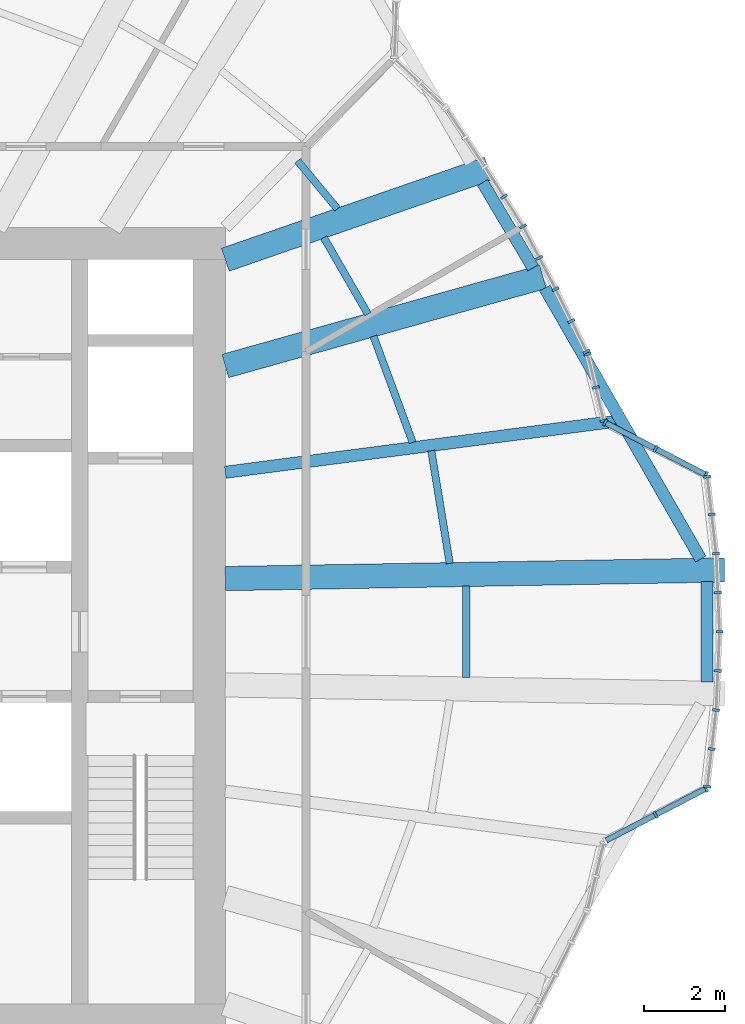
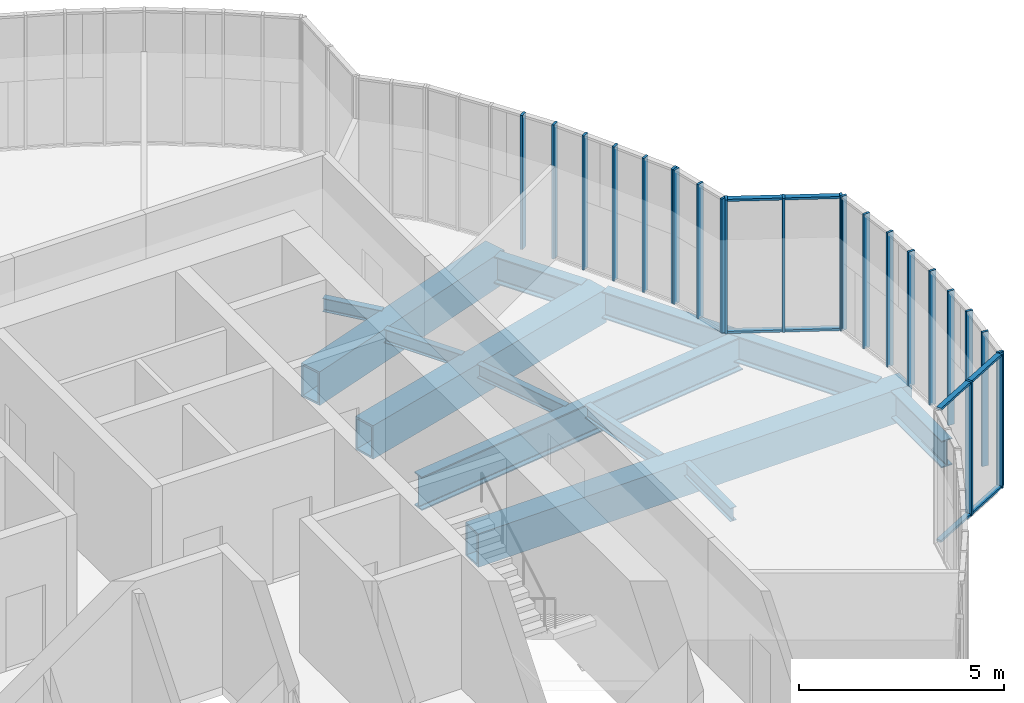
# One storey, part 5 of 24: 31 members, 12 beams, 10 elements without a shape of their own.
"""IFC4 building model written with IfcOpenShell, lengths in metres."""

from ifc_helpers import new_model, si_unit, direction, frame, origin, origin_2d, place, context, subcontext, project, spatial, rectangle, hollow_rectangle, i_section, extrude, material, material_profile, profile_set, type_object, element, aggregate, save


model = new_model("IFC4")

# Units and contexts
model_context = context("Model", 3, precision=1e-05, world=origin(), true_north=direction((0.0, 1.0)))
body_context = subcontext(model_context, "Body", "Model", "MODEL_VIEW")
ifc_project = project(units=[si_unit("LENGTHUNIT", "METRE"), si_unit("AREAUNIT", "SQUARE_METRE"), si_unit("VOLUMEUNIT", "CUBIC_METRE"), si_unit("PLANEANGLEUNIT", "RADIAN"), si_unit("MASSUNIT", "GRAM", prefix="KILO")], contexts=[model_context])

# Site, building, storey
site_placement = place(None, origin())
site = spatial("IfcSite", under=ifc_project, at=site_placement, CompositionType="ELEMENT")
building_placement = place(site_placement, origin())
building = spatial("IfcBuilding", under=site, at=building_placement, Name="Golbaran Civic Tower", CompositionType="ELEMENT")
storey_placement = place(building_placement, frame((0.0, 0.0, 25.0)))
storey = spatial("IfcBuildingStorey", under=building, at=storey_placement, Name="L05", CompositionType="ELEMENT", Elevation=25.0)

# Beams
ifc_material_1 = material(Name="Steel S355", Category="steel")
ifc_material_profile_1 = material_profile(ifc_material_1, i_section(OverallWidth=0.300048828125, OverallDepth=0.800048828125, WebThickness=0.017578125, FlangeThickness=0.032958984375, FilletRadius=0.030029296875, at=origin_2d()), Name="HEB 800")
ifc_profile_set_1 = profile_set([ifc_material_profile_1], Name="Steel S355")
beam_type_1 = type_object("IfcBeamType", Name="EDGE BEAM HEB 800", PredefinedType="BEAM", material=ifc_profile_set_1)
beam_1_placement = place(storey_placement, frame((21.756591796875, 1.797607421875, -0.60009765625), z_axis=(-0.498561902583, 0.866854099196, 0.0), x_axis=(-0.866854099196, -0.498561902583, 0.0)))
element("IfcBeam", 1, at=beam_1_placement, inside=storey, type_object=beam_type_1, Name="Edge beam 3.83 L05", PredefinedType="BEAM", context=body_context, shape_type="SweptSolid", body=[
    extrude(i_section(OverallWidth=0.300048828125, OverallDepth=0.800048828125, WebThickness=0.017578125, FlangeThickness=0.032958984375, FilletRadius=0.030029296875, at=origin_2d()), origin(), (0.0, 0.0, 1.0), 7.730712890625),
])
beam_2_placement = place(storey_placement, frame((17.61083984375, 8.998779296875, -0.60009765625), z_axis=(-0.509256148857, 0.86061499804, 0.0), x_axis=(-0.86061499804, -0.509256148857, 0.0)))
element("IfcBeam", 2, at=beam_2_placement, inside=storey, type_object=beam_type_1, Name="Edge beam 25.74 L05", PredefinedType="BEAM", context=body_context, shape_type="SweptSolid", body=[
    extrude(i_section(OverallWidth=0.300048828125, OverallDepth=0.800048828125, WebThickness=0.017578125, FlangeThickness=0.032958984375, FilletRadius=0.030029296875, at=origin_2d()), origin(), (0.0, 0.0, 1.0), 2.45068359375),
])
beam_3_placement = place(storey_placement, frame((21.916015625, -1.240234375, -0.60009765625), z_axis=(0.0, 1.0, 0.0), x_axis=(-1.0, 0.0, 0.0)))
element("IfcBeam", 3, at=beam_3_placement, inside=storey, type_object=beam_type_1, Name="Edge beam 356.17 L05", PredefinedType="BEAM", context=body_context, shape_type="SweptSolid", body=[
    extrude(i_section(OverallWidth=0.300048828125, OverallDepth=0.800048828125, WebThickness=0.017578125, FlangeThickness=0.032958984375, FilletRadius=0.030029296875, at=origin_2d()), origin(), (0.0, 0.0, 1.0), 2.48046875),
])
ifc_material_profile_2 = material_profile(ifc_material_1, i_section(OverallWidth=0.179931640625, OverallDepth=0.39990234375, WebThickness=0.008544921875, FlangeThickness=0.013427734375, FilletRadius=0.02099609375, at=origin_2d()), Name="IPE 400")
ifc_profile_set_2 = profile_set([ifc_material_profile_2], Name="Steel S355")
beam_type_2 = type_object("IfcBeamType", Name="FLOOR INFILL BEAM IPE 400", PredefinedType="BEAM", material=ifc_profile_set_2)
beam_4_placement = place(storey_placement, frame((15.550537109375, 1.6904296875, -0.39990234375), z_axis=(-0.161707417606, 0.986838746245, 0.0), x_axis=(-0.986838746245, -0.161707417606, 0.0)))
element("IfcBeam", 4, at=beam_4_placement, inside=storey, type_object=beam_type_2, Name="Infill beam 9.31 L05", PredefinedType="BEAM", context=body_context, shape_type="SweptSolid", body=[
    extrude(i_section(OverallWidth=0.179931640625, OverallDepth=0.39990234375, WebThickness=0.008544921875, FlangeThickness=0.013427734375, FilletRadius=0.02099609375, at=origin_2d()), origin(), (0.0, 0.0, 1.0), 2.82470703125),
])
beam_5_placement = place(storey_placement, frame((14.63427734375, 4.68017578125, -0.39990234375), z_axis=(-0.346383518623, 0.938092990074, 0.0), x_axis=(-0.938092990074, -0.346383518623, 0.0)))
element("IfcBeam", 5, at=beam_5_placement, inside=storey, type_object=beam_type_2, Name="Infill beam 20.27 L05", PredefinedType="BEAM", context=body_context, shape_type="SweptSolid", body=[
    extrude(i_section(OverallWidth=0.179931640625, OverallDepth=0.39990234375, WebThickness=0.008544921875, FlangeThickness=0.013427734375, FilletRadius=0.02099609375, at=origin_2d()), origin(), (0.0, 0.0, 1.0), 2.802490234375),
])
beam_6_placement = place(storey_placement, frame((13.529541015625, 7.85302734375, -0.39990234375), z_axis=(-0.499980071345, 0.866036909293, 0.0), x_axis=(-0.866036909293, -0.499980071345, 0.0)))
element("IfcBeam", 6, at=beam_6_placement, inside=storey, type_object=beam_type_2, Name="Infill beam 30.00 L05", PredefinedType="BEAM", context=body_context, shape_type="SweptSolid", body=[
    extrude(i_section(OverallWidth=0.179931640625, OverallDepth=0.39990234375, WebThickness=0.008544921875, FlangeThickness=0.013427734375, FilletRadius=0.02099609375, at=origin_2d()), origin(), (0.0, 0.0, 1.0), 2.1875),
])
beam_7_placement = place(storey_placement, frame((12.773681640625, 10.457275390625, -0.39990234375), z_axis=(-0.639203926169, 0.769037281782, 0.0), x_axis=(-0.769037281782, -0.639203926169, 0.0)))
element("IfcBeam", 7, at=beam_7_placement, inside=storey, type_object=beam_type_2, Name="Infill beam 39.73 L05", PredefinedType="BEAM", context=body_context, shape_type="SweptSolid", body=[
    extrude(i_section(OverallWidth=0.179931640625, OverallDepth=0.39990234375, WebThickness=0.008544921875, FlangeThickness=0.013427734375, FilletRadius=0.02099609375, at=origin_2d()), origin(), (0.0, 0.0, 1.0), 1.543701171875),
])
beam_8_placement = place(storey_placement, frame((15.9580078125, -1.13720703125, -0.39990234375), z_axis=(0.0, 1.0, 0.0), x_axis=(-1.0, 0.0, 0.0)))
element("IfcBeam", 8, at=beam_8_placement, inside=storey, type_object=beam_type_2, Name="Infill beam 0.00 L05", PredefinedType="BEAM", context=body_context, shape_type="SweptSolid", body=[
    extrude(i_section(OverallWidth=0.179931640625, OverallDepth=0.39990234375, WebThickness=0.008544921875, FlangeThickness=0.013427734375, FilletRadius=0.02099609375, at=origin_2d()), origin(), (0.0, 0.0, 1.0), 2.2744140625),
])

# Curtain wall, members
ifc_material_2 = material(Name="Aluminium and glass", Category="aluminium")
curtain_wall_type = type_object("IfcCurtainWallType", Name="INNER SKIN CURTAIN WALL", PredefinedType="NOTDEFINED", material=ifc_material_2)
curtain_wall_1_placement = place(storey_placement, origin())
curtain_wall_1 = element("IfcCurtainWall", 9, at=curtain_wall_1_placement, inside=storey, type_object=curtain_wall_type, Name="Inner skin L05 facet 1 CW1", ObjectType="INNER SKIN", PredefinedType="USERDEFINED")
ifc_material_3 = material(Name="Aluminium", Category="aluminium")
ifc_material_profile_3 = material_profile(ifc_material_3, rectangle(XDim=0.179931640625, YDim=0.06494140625, at=origin_2d()), Name="INNER SKIN CURTAIN WALL MULLION")
ifc_profile_set_3 = profile_set([ifc_material_profile_3], Name="Aluminium")
member_type_1 = type_object("IfcMemberType", Name="INNER SKIN CURTAIN WALL MULLION", PredefinedType="MULLION", material=ifc_profile_set_3)
member_1_placement = place(storey_placement, frame((22.1787109375, 0.96826171875, 0.0), z_axis=(0.0, 0.0, 1.0), x_axis=(-0.999048221576, -0.043619387505, 0.0)))
member_1 = element("IfcMember", 10, at=member_1_placement, type_object=member_type_1, Name="CW1 mullion 2", PredefinedType="MULLION", context=body_context, shape_type="SweptSolid", body=[
    extrude(rectangle(XDim=0.179931640625, YDim=0.06494140625, at=origin_2d()), origin(), (0.0, 0.0, 1.0), 4.0),
])
member_2_placement = place(storey_placement, frame((22.136474609375, 1.936767578125, 0.0), z_axis=(0.0, 0.0, 1.0), x_axis=(-0.996858623672, -0.079201542981, 0.0)))
member_2 = element("IfcMember", 11, at=member_2_placement, type_object=member_type_1, Name="CW1 mullion 3", PredefinedType="MULLION", context=body_context, shape_type="SweptSolid", body=[
    extrude(rectangle(XDim=0.179931640625, YDim=0.06494140625, at=origin_2d()), origin(), (0.0, 0.0, 1.0), 4.0),
])
aggregate(curtain_wall_1, [member_1, member_2])

curtain_wall_2_placement = place(storey_placement, origin())
curtain_wall_2 = element("IfcCurtainWall", 12, at=curtain_wall_2_placement, inside=storey, type_object=curtain_wall_type, Name="Inner skin L05 facet 2 CW1", ObjectType="INNER SKIN", PredefinedType="USERDEFINED")
member_3_placement = place(storey_placement, frame((22.025146484375, 2.900390625, 0.0), z_axis=(0.0, 0.0, 1.0), x_axis=(-0.993402133964, -0.114683042492, 0.0)))
member_3 = element("IfcMember", 13, at=member_3_placement, type_object=member_type_1, Name="CW1 mullion 2", PredefinedType="MULLION", context=body_context, shape_type="SweptSolid", body=[
    extrude(rectangle(XDim=0.179931640625, YDim=0.06494140625, at=origin_2d()), origin(), (0.0, 0.0, 1.0), 4.0),
])
member_4_placement = place(storey_placement, frame((21.917724609375, 3.831787109375, 0.0), z_axis=(0.0, 0.0, 1.0), x_axis=(-0.993402133964, -0.114683042492, 0.0)))
member_4 = element("IfcMember", 14, at=member_4_placement, type_object=member_type_1, Name="CW1 mullion 3", PredefinedType="MULLION", context=body_context, shape_type="SweptSolid", body=[
    extrude(rectangle(XDim=0.179931640625, YDim=0.06494140625, at=origin_2d()), origin(), (0.0, 0.0, 1.0), 4.0),
])
aggregate(curtain_wall_2, [member_3, member_4])

curtain_wall_3_placement = place(storey_placement, origin())
curtain_wall_3 = element("IfcCurtainWall", 15, at=curtain_wall_3_placement, inside=storey, type_object=curtain_wall_type, Name="Inner skin L05 facet 3 CW1", ObjectType="INNER SKIN", PredefinedType="USERDEFINED")
member_5_placement = place(storey_placement, frame((21.885009765625, 3.87890625, 0.0), z_axis=(0.0, 0.0, 1.0), x_axis=(-0.460945090256, -0.887428658411, 0.0)))
member_5 = element("IfcMember", 16, at=member_5_placement, type_object=member_type_1, Name="CW1 mullion 1", PredefinedType="MULLION", context=body_context, shape_type="SweptSolid", body=[
    extrude(rectangle(XDim=0.179931640625, YDim=0.06494140625, at=origin_2d()), origin(), (0.0, 0.0, 1.0), 4.0),
])
member_6_placement = place(storey_placement, frame((20.638916015625, 4.5263671875, 0.0), z_axis=(0.0, 0.0, 1.0), x_axis=(-0.460945090256, -0.887428658411, 0.0)))
member_6 = element("IfcMember", 17, at=member_6_placement, type_object=member_type_1, Name="CW1 mullion 2", PredefinedType="MULLION", context=body_context, shape_type="SweptSolid", body=[
    extrude(rectangle(XDim=0.179931640625, YDim=0.06494140625, at=origin_2d()), origin(), (0.0, 0.0, 1.0), 4.0),
])
member_7_placement = place(storey_placement, frame((19.392822265625, 5.173583984375, 0.0), z_axis=(0.0, 0.0, 1.0), x_axis=(-0.460945090256, -0.887428658411, 0.0)))
member_7 = element("IfcMember", 18, at=member_7_placement, type_object=member_type_1, Name="CW1 mullion 3", PredefinedType="MULLION", context=body_context, shape_type="SweptSolid", body=[
    extrude(rectangle(XDim=0.179931640625, YDim=0.06494140625, at=origin_2d()), origin(), (0.0, 0.0, 1.0), 4.0),
])

curtain_wall_4_placement = place(storey_placement, origin())
curtain_wall_4 = element("IfcCurtainWall", 19, at=curtain_wall_4_placement, inside=storey, type_object=curtain_wall_type, Name="Inner skin L05 facet 4 CW1", ObjectType="INNER SKIN", PredefinedType="USERDEFINED")
member_8_placement = place(storey_placement, frame((19.356201171875, 5.22021484375, 0.0), z_axis=(0.0, 0.0, 1.0), x_axis=(-0.9718683836, -0.235524616461, 0.0)))
member_8 = element("IfcMember", 20, at=member_8_placement, type_object=member_type_1, Name="CW1 mullion 1", PredefinedType="MULLION", context=body_context, shape_type="SweptSolid", body=[
    extrude(rectangle(XDim=0.179931640625, YDim=0.06494140625, at=origin_2d()), origin(), (0.0, 0.0, 1.0), 4.0),
])
member_9_placement = place(storey_placement, frame((19.156982421875, 6.04296875, 0.0), z_axis=(0.0, 0.0, 1.0), x_axis=(-0.9718683836, -0.235524616461, 0.0)))
member_9 = element("IfcMember", 21, at=member_9_placement, type_object=member_type_1, Name="CW1 mullion 2", PredefinedType="MULLION", context=body_context, shape_type="SweptSolid", body=[
    extrude(rectangle(XDim=0.179931640625, YDim=0.06494140625, at=origin_2d()), origin(), (0.0, 0.0, 1.0), 4.0),
])
member_10_placement = place(storey_placement, frame((18.95751953125, 6.865478515625, 0.0), z_axis=(0.0, 0.0, 1.0), x_axis=(-0.9718683836, -0.235524616461, 0.0)))
member_10 = element("IfcMember", 22, at=member_10_placement, type_object=member_type_1, Name="CW1 mullion 3", PredefinedType="MULLION", context=body_context, shape_type="SweptSolid", body=[
    extrude(rectangle(XDim=0.179931640625, YDim=0.06494140625, at=origin_2d()), origin(), (0.0, 0.0, 1.0), 4.0),
])
aggregate(curtain_wall_4, [member_8, member_9, member_10])

curtain_wall_5_placement = place(storey_placement, origin())
curtain_wall_5 = element("IfcCurtainWall", 23, at=curtain_wall_5_placement, inside=storey, type_object=curtain_wall_type, Name="Inner skin L05 facet 5 CW1", ObjectType="INNER SKIN", PredefinedType="USERDEFINED")
member_11_placement = place(storey_placement, frame((18.935302734375, 6.92626953125, 0.0), z_axis=(0.0, 0.0, 1.0), x_axis=(-0.895886679922, -0.444282631597, 0.0)))
member_11 = element("IfcMember", 24, at=member_11_placement, type_object=member_type_1, Name="CW1 mullion 1", PredefinedType="MULLION", context=body_context, shape_type="SweptSolid", body=[
    extrude(rectangle(XDim=0.179931640625, YDim=0.06494140625, at=origin_2d()), origin(), (0.0, 0.0, 1.0), 4.0),
])
member_12_placement = place(storey_placement, frame((18.559326171875, 7.684814453125, 0.0), z_axis=(0.0, 0.0, 1.0), x_axis=(-0.895886679922, -0.444282631597, 0.0)))
member_12 = element("IfcMember", 25, at=member_12_placement, type_object=member_type_1, Name="CW1 mullion 2", PredefinedType="MULLION", context=body_context, shape_type="SweptSolid", body=[
    extrude(rectangle(XDim=0.179931640625, YDim=0.06494140625, at=origin_2d()), origin(), (0.0, 0.0, 1.0), 4.0),
])
member_13_placement = place(storey_placement, frame((18.168701171875, 8.47216796875, 0.0), z_axis=(0.0, 0.0, 1.0), x_axis=(-0.891491531443, -0.453037359791, 0.0)))
member_13 = element("IfcMember", 26, at=member_13_placement, type_object=member_type_1, Name="CW1 mullion 3", PredefinedType="MULLION", context=body_context, shape_type="SweptSolid", body=[
    extrude(rectangle(XDim=0.179931640625, YDim=0.06494140625, at=origin_2d()), origin(), (0.0, 0.0, 1.0), 4.0),
])
aggregate(curtain_wall_5, [member_11, member_12, member_13])

curtain_wall_6_placement = place(storey_placement, origin())
curtain_wall_6 = element("IfcCurtainWall", 27, at=curtain_wall_6_placement, inside=storey, type_object=curtain_wall_type, Name="Inner skin L05 facet 6 CW1", ObjectType="INNER SKIN", PredefinedType="USERDEFINED")
member_14_placement = place(storey_placement, frame((17.764892578125, 9.247802734375, 0.0), z_axis=(0.0, 0.0, 1.0), x_axis=(-0.887010833202, -0.461748613189, 0.0)))
member_14 = element("IfcMember", 28, at=member_14_placement, type_object=member_type_1, Name="CW1 mullion 2", PredefinedType="MULLION", context=body_context, shape_type="SweptSolid", body=[
    extrude(rectangle(XDim=0.179931640625, YDim=0.06494140625, at=origin_2d()), origin(), (0.0, 0.0, 1.0), 4.0),
])
member_15_placement = place(storey_placement, frame((17.361328125, 10.0234375, 0.0), z_axis=(0.0, 0.0, 1.0), x_axis=(-0.866025403758, -0.500000000045, 0.0)))
member_15 = element("IfcMember", 29, at=member_15_placement, type_object=member_type_1, Name="CW1 mullion 3", PredefinedType="MULLION", context=body_context, shape_type="SweptSolid", body=[
    extrude(rectangle(XDim=0.179931640625, YDim=0.06494140625, at=origin_2d()), origin(), (0.0, 0.0, 1.0), 4.0),
])
aggregate(curtain_wall_6, [member_14, member_15])

# Curtain wall, member
curtain_wall_7_placement = place(storey_placement, origin())
curtain_wall_7 = element("IfcCurtainWall", 30, at=curtain_wall_7_placement, inside=storey, type_object=curtain_wall_type, Name="Inner skin L05 facet 7 CW1", ObjectType="INNER SKIN", PredefinedType="USERDEFINED")
member_16_placement = place(storey_placement, frame((16.891357421875, 10.760986328125, 0.0), z_axis=(0.0, 0.0, 1.0), x_axis=(-0.843391445841, -0.537299608303, 0.0)))
member_16 = element("IfcMember", 31, at=member_16_placement, type_object=member_type_1, Name="CW1 mullion 2", PredefinedType="MULLION", context=body_context, shape_type="SweptSolid", body=[
    extrude(rectangle(XDim=0.179931640625, YDim=0.06494140625, at=origin_2d()), origin(), (0.0, 0.0, 1.0), 4.0),
])
aggregate(curtain_wall_7, [member_16])

# Curtain wall, members
curtain_wall_8_placement = place(storey_placement, origin())
curtain_wall_8 = element("IfcCurtainWall", 32, at=curtain_wall_8_placement, inside=storey, type_object=curtain_wall_type, Name="Inner skin L05 facet 70 CW1", ObjectType="INNER SKIN", PredefinedType="USERDEFINED")
member_17_placement = place(storey_placement, frame((20.638916015625, -4.5263671875, 0.0), z_axis=(0.0, 0.0, 1.0), x_axis=(-0.460945090256, 0.887428658411, 0.0)))
member_17 = element("IfcMember", 33, at=member_17_placement, type_object=member_type_1, Name="CW1 mullion 2", PredefinedType="MULLION", context=body_context, shape_type="SweptSolid", body=[
    extrude(rectangle(XDim=0.179931640625, YDim=0.06494140625, at=origin_2d()), origin(), (0.0, 0.0, 1.0), 4.0),
])
member_18_placement = place(storey_placement, frame((21.885009765625, -3.87890625, 0.0), z_axis=(0.0, 0.0, 1.0), x_axis=(-0.460945090256, 0.887428658411, 0.0)))
member_18 = element("IfcMember", 34, at=member_18_placement, type_object=member_type_1, Name="CW1 mullion 3", PredefinedType="MULLION", context=body_context, shape_type="SweptSolid", body=[
    extrude(rectangle(XDim=0.179931640625, YDim=0.06494140625, at=origin_2d()), origin(), (0.0, 0.0, 1.0), 4.0),
])

curtain_wall_9_placement = place(storey_placement, origin())
curtain_wall_9 = element("IfcCurtainWall", 35, at=curtain_wall_9_placement, inside=storey, type_object=curtain_wall_type, Name="Inner skin L05 facet 71 CW1", ObjectType="INNER SKIN", PredefinedType="USERDEFINED")
member_19_placement = place(storey_placement, frame((21.917724609375, -3.831787109375, 0.0), z_axis=(0.0, 0.0, 1.0), x_axis=(-0.993402133964, 0.114683042492, 0.0)))
member_19 = element("IfcMember", 36, at=member_19_placement, type_object=member_type_1, Name="CW1 mullion 1", PredefinedType="MULLION", context=body_context, shape_type="SweptSolid", body=[
    extrude(rectangle(XDim=0.179931640625, YDim=0.06494140625, at=origin_2d()), origin(), (0.0, 0.0, 1.0), 4.0),
])
member_20_placement = place(storey_placement, frame((22.025146484375, -2.900390625, 0.0), z_axis=(0.0, 0.0, 1.0), x_axis=(-0.993402133964, 0.114683042492, 0.0)))
member_20 = element("IfcMember", 37, at=member_20_placement, type_object=member_type_1, Name="CW1 mullion 2", PredefinedType="MULLION", context=body_context, shape_type="SweptSolid", body=[
    extrude(rectangle(XDim=0.179931640625, YDim=0.06494140625, at=origin_2d()), origin(), (0.0, 0.0, 1.0), 4.0),
])
member_21_placement = place(storey_placement, frame((22.136474609375, -1.936767578125, 0.0), z_axis=(0.0, 0.0, 1.0), x_axis=(-0.996858623671, 0.079201542999, 0.0)))
member_21 = element("IfcMember", 38, at=member_21_placement, type_object=member_type_1, Name="CW1 mullion 3", PredefinedType="MULLION", context=body_context, shape_type="SweptSolid", body=[
    extrude(rectangle(XDim=0.179931640625, YDim=0.06494140625, at=origin_2d()), origin(), (0.0, 0.0, 1.0), 4.0),
])
aggregate(curtain_wall_9, [member_19, member_20, member_21])

curtain_wall_10_placement = place(storey_placement, origin())
curtain_wall_10 = element("IfcCurtainWall", 39, at=curtain_wall_10_placement, inside=storey, type_object=curtain_wall_type, Name="Inner skin L05 facet 72 CW1", ObjectType="INNER SKIN", PredefinedType="USERDEFINED")
member_22_placement = place(storey_placement, frame((22.1787109375, -0.96826171875, 0.0), z_axis=(0.0, 0.0, 1.0), x_axis=(-0.999048221576, 0.043619387505, 0.0)))
member_22 = element("IfcMember", 40, at=member_22_placement, type_object=member_type_1, Name="CW1 mullion 2", PredefinedType="MULLION", context=body_context, shape_type="SweptSolid", body=[
    extrude(rectangle(XDim=0.179931640625, YDim=0.06494140625, at=origin_2d()), origin(), (0.0, 0.0, 1.0), 4.0),
])
member_23_placement = place(storey_placement, frame((22.220947265625, 0.0, 0.0), z_axis=(0.0, 0.0, 1.0), x_axis=(-1.0, 7e-11, 0.0)))
member_23 = element("IfcMember", 41, at=member_23_placement, type_object=member_type_1, Name="CW1 mullion 3", PredefinedType="MULLION", context=body_context, shape_type="SweptSolid", body=[
    extrude(rectangle(XDim=0.179931640625, YDim=0.06494140625, at=origin_2d()), origin(), (0.0, 0.0, 1.0), 4.0),
])
aggregate(curtain_wall_10, [member_22, member_23])

# Member
ifc_material_profile_4 = material_profile(ifc_material_3, rectangle(XDim=0.139892578125, YDim=0.06494140625, at=origin_2d()), Name="INNER SKIN CURTAIN WALL TRANSOM")
ifc_profile_set_4 = profile_set([ifc_material_profile_4], Name="Aluminium")
member_type_2 = type_object("IfcMemberType", Name="INNER SKIN CURTAIN WALL TRANSOM", PredefinedType="USERDEFINED", material=ifc_profile_set_4)
member_24_placement = place(storey_placement, frame((21.856201171875, 3.89404296875, 0.032470703125), z_axis=(-0.88746739887, 0.460870498017, 0.0), x_axis=(-0.460870498017, -0.88746739887, 0.0)))
member_24 = element("IfcMember", 42, at=member_24_placement, type_object=member_type_2, Name="CW1 transom 1.1", ObjectType="TRANSOM", PredefinedType="USERDEFINED", context=body_context, shape_type="SweptSolid", body=[
    extrude(rectangle(XDim=0.139892578125, YDim=0.06494140625, at=origin_2d()), origin(), (0.0, 0.0, 1.0), 1.339111328125),
])

member_25_placement = place(storey_placement, frame((21.856201171875, 3.89404296875, 3.967529296875), z_axis=(-0.88746739887, 0.460870498017, 0.0), x_axis=(-0.460870498017, -0.88746739887, 0.0)))
member_25 = element("IfcMember", 43, at=member_25_placement, type_object=member_type_2, Name="CW1 transom 1.2", ObjectType="TRANSOM", PredefinedType="USERDEFINED", context=body_context, shape_type="SweptSolid", body=[
    extrude(rectangle(XDim=0.139892578125, YDim=0.06494140625, at=origin_2d()), origin(), (0.0, 0.0, 1.0), 1.339111328125),
])

member_26_placement = place(storey_placement, frame((20.610107421875, 4.541259765625, 0.032470703125), z_axis=(-0.887392828843, 0.461014064122, 0.0), x_axis=(-0.461014064122, -0.887392828843, 0.0)))
member_26 = element("IfcMember", 44, at=member_26_placement, type_object=member_type_2, Name="CW1 transom 2.1", ObjectType="TRANSOM", PredefinedType="USERDEFINED", context=body_context, shape_type="SweptSolid", body=[
    extrude(rectangle(XDim=0.139892578125, YDim=0.06494140625, at=origin_2d()), origin(), (0.0, 0.0, 1.0), 1.33935546875),
])

member_27_placement = place(storey_placement, frame((20.610107421875, 4.541259765625, 3.967529296875), z_axis=(-0.887392828843, 0.461014064122, 0.0), x_axis=(-0.461014064122, -0.887392828843, 0.0)))
member_27 = element("IfcMember", 45, at=member_27_placement, type_object=member_type_2, Name="CW1 transom 2.2", ObjectType="TRANSOM", PredefinedType="USERDEFINED", context=body_context, shape_type="SweptSolid", body=[
    extrude(rectangle(XDim=0.139892578125, YDim=0.06494140625, at=origin_2d()), origin(), (0.0, 0.0, 1.0), 1.33935546875),
])

aggregate(curtain_wall_3, [member_5, member_6, member_7, member_24, member_25, member_26, member_27])

member_28_placement = place(storey_placement, frame((19.421630859375, -5.15869140625, 0.032470703125), z_axis=(0.887392828843, 0.461014064122, 0.0), x_axis=(-0.461014064122, 0.887392828843, 0.0)))
member_28 = element("IfcMember", 46, at=member_28_placement, type_object=member_type_2, Name="CW1 transom 1.1", ObjectType="TRANSOM", PredefinedType="USERDEFINED", context=body_context, shape_type="SweptSolid", body=[
    extrude(rectangle(XDim=0.139892578125, YDim=0.06494140625, at=origin_2d()), origin(), (0.0, 0.0, 1.0), 1.33935546875),
])

member_29_placement = place(storey_placement, frame((19.421630859375, -5.15869140625, 3.967529296875), z_axis=(0.887392828843, 0.461014064122, 0.0), x_axis=(-0.461014064122, 0.887392828843, 0.0)))
member_29 = element("IfcMember", 47, at=member_29_placement, type_object=member_type_2, Name="CW1 transom 1.2", ObjectType="TRANSOM", PredefinedType="USERDEFINED", context=body_context, shape_type="SweptSolid", body=[
    extrude(rectangle(XDim=0.139892578125, YDim=0.06494140625, at=origin_2d()), origin(), (0.0, 0.0, 1.0), 1.33935546875),
])

member_30_placement = place(storey_placement, frame((20.667724609375, -4.51123046875, 0.032470703125), z_axis=(0.88746739887, 0.460870498017, 0.0), x_axis=(-0.460870498017, 0.88746739887, 0.0)))
member_30 = element("IfcMember", 48, at=member_30_placement, type_object=member_type_2, Name="CW1 transom 2.1", ObjectType="TRANSOM", PredefinedType="USERDEFINED", context=body_context, shape_type="SweptSolid", body=[
    extrude(rectangle(XDim=0.139892578125, YDim=0.06494140625, at=origin_2d()), origin(), (0.0, 0.0, 1.0), 1.339111328125),
])

member_31_placement = place(storey_placement, frame((20.667724609375, -4.51123046875, 3.967529296875), z_axis=(0.88746739887, 0.460870498017, 0.0), x_axis=(-0.460870498017, 0.88746739887, 0.0)))
member_31 = element("IfcMember", 49, at=member_31_placement, type_object=member_type_2, Name="CW1 transom 2.2", ObjectType="TRANSOM", PredefinedType="USERDEFINED", context=body_context, shape_type="SweptSolid", body=[
    extrude(rectangle(XDim=0.139892578125, YDim=0.06494140625, at=origin_2d()), origin(), (0.0, 0.0, 1.0), 1.339111328125),
])

aggregate(curtain_wall_8, [member_17, member_18, member_28, member_29, member_30, member_31])

# Beams
ifc_material_profile_5 = material_profile(ifc_material_1, hollow_rectangle(XDim=0.60009765625, YDim=1.0, WallThickness=0.06005859375, at=origin_2d()), Name="BOX 1000x600x60")
ifc_profile_set_5 = profile_set([ifc_material_profile_5], Name="Steel S355")
beam_type_3 = type_object("IfcBeamType", Name="RADIAL FLOOR BEAM BOX 1000x600x60", PredefinedType="BEAM", material=ifc_profile_set_5)
beam_9_placement = place(storey_placement, frame((10.0, 1.314208984375, -0.7099609375), z_axis=(0.999850281855, 0.017303579838, 0.0), x_axis=(-0.017303579838, 0.999850281855, 0.0)))
element("IfcBeam", 50, at=beam_9_placement, inside=storey, type_object=beam_type_3, Name="Radial beam 3.83 L05", PredefinedType="BEAM", context=body_context, shape_type="SweptSolid", body=[
    extrude(hollow_rectangle(XDim=0.60009765625, YDim=1.0, WallThickness=0.06005859375, at=origin_2d()), origin(), (0.0, 0.0, 1.0), 12.345703125),
])
beam_10_placement = place(storey_placement, frame((10.0, 6.571533203125, -0.7099609375), z_axis=(0.962787297075, 0.270260283043, 0.0), x_axis=(-0.270260283043, 0.962787297075, 0.0)))
element("IfcBeam", 51, at=beam_10_placement, inside=storey, type_object=beam_type_3, Name="Radial beam 25.74 L05", PredefinedType="BEAM", context=body_context, shape_type="SweptSolid", body=[
    extrude(hollow_rectangle(XDim=0.60009765625, YDim=1.0, WallThickness=0.06005859375, at=origin_2d()), origin(), (0.0, 0.0, 1.0), 8.1591796875),
])
beam_11_placement = place(storey_placement, frame((10.0, 9.199951171875, -0.7099609375), z_axis=(0.944904665861, 0.327345646733, 0.0), x_axis=(-0.327345646733, 0.944904665861, 0.0)))
element("IfcBeam", 52, at=beam_11_placement, inside=storey, type_object=beam_type_3, Name="Radial beam 34.26 L05", PredefinedType="BEAM", context=body_context, shape_type="SweptSolid", body=[
    extrude(hollow_rectangle(XDim=0.60009765625, YDim=1.0, WallThickness=0.06005859375, at=origin_2d()), origin(), (0.0, 0.0, 1.0), 6.8837890625),
])
ifc_material_profile_6 = material_profile(ifc_material_1, i_section(OverallWidth=0.300048828125, OverallDepth=1.0, WebThickness=0.01904296875, FlangeThickness=0.035888671875, FilletRadius=0.030029296875, at=origin_2d()), Name="HEB 1000")
ifc_profile_set_6 = profile_set([ifc_material_profile_6], Name="Steel S355")
beam_type_4 = type_object("IfcBeamType", Name="SECONDARY FLOOR BEAM HEB 1000", PredefinedType="BEAM", material=ifc_profile_set_6)
beam_12_placement = place(storey_placement, frame((10.0, 3.94287109375, -0.7099609375), z_axis=(0.991554278086, 0.129692380691, 0.0), x_axis=(-0.129692380691, 0.991554278086, 0.0)))
element("IfcBeam", 53, at=beam_12_placement, inside=storey, type_object=beam_type_4, Name="Secondary beam 14.79 L05", PredefinedType="BEAM", context=body_context, shape_type="SweptSolid", body=[
    extrude(i_section(OverallWidth=0.300048828125, OverallDepth=1.0, WebThickness=0.01904296875, FlangeThickness=0.035888671875, FilletRadius=0.030029296875, at=origin_2d()), origin(), (0.0, 0.0, 1.0), 9.86962890625),
])

save(model, "model.ifc")
